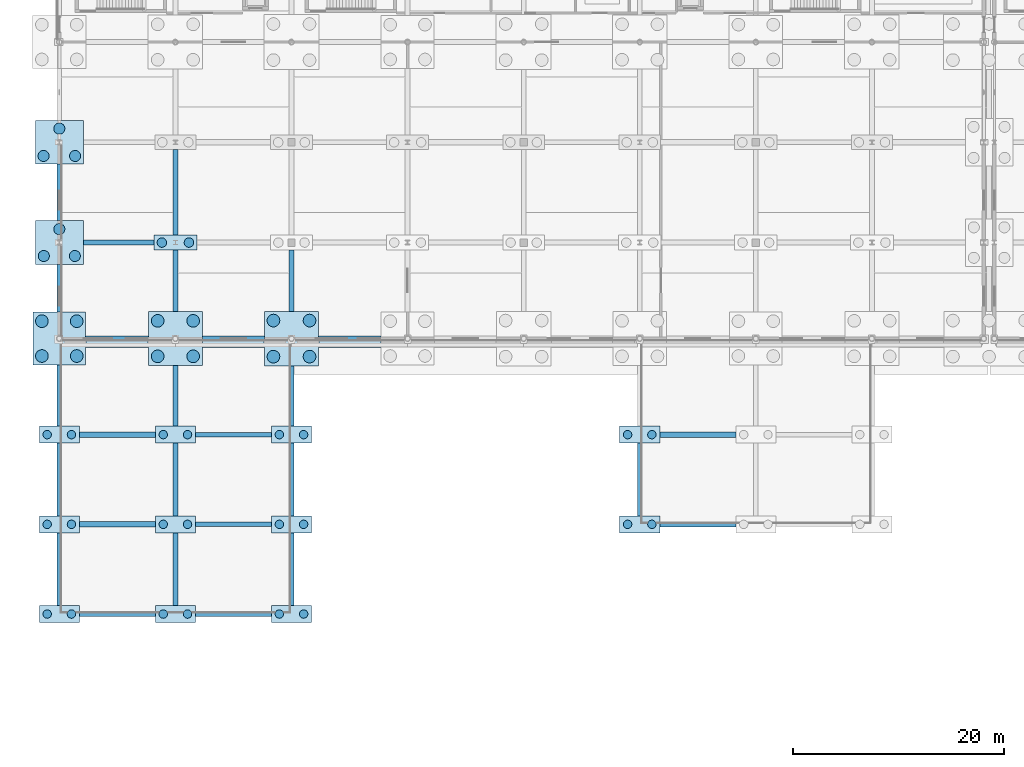
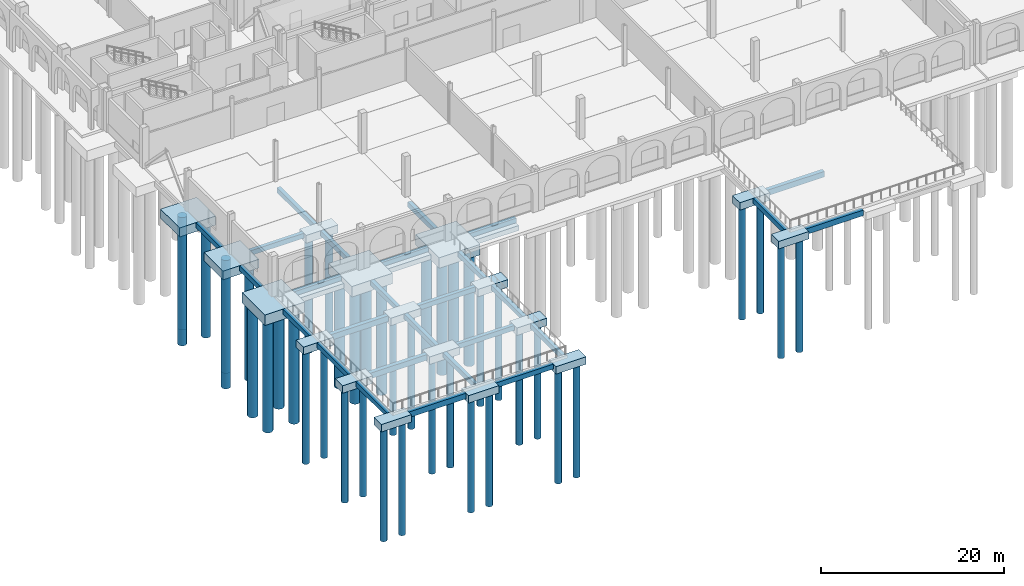
# One storey, part 1 of 83: 47 footings, 42 piles.
"""IFC4 building model written with IfcOpenShell, lengths in metres."""

import ifcopenshell
import ifcopenshell.guid

model = None  # the IFC model being written
_history = None  # IfcOwnerHistory: only IFC2X3 demands one
_inside = {}  # id of a spatial element -> (the spatial element, [elements in it])
_under = {}  # id of a project, library or spatial element -> (it, [spatial elements below it])
_declared = {}  # id of a project -> (the project, [libraries it declares])
_typed = {}  # id of a type object -> (the type object, [elements of that type])
_made_of = {}  # id of a material, layer set ... -> (it, [elements and type objects made of it])


def new_model(schema):
    """Start an empty IFC model of exactly this schema.

    Asked for "IFC4X3", IfcOpenShell would pick the latest addendum, in which some entities
    have other attributes; the version numbers below select the first issue.
    IFC2X3 requires an IfcOwnerHistory on every rooted entity: one is made here for all.
    """
    global model, _history
    if schema == "IFC4X3":
        model = ifcopenshell.file(schema_version=(4, 3, 0, 0))
    else:
        model = ifcopenshell.file(schema=schema)
    _inside.clear()
    _under.clear()
    _declared.clear()
    _typed.clear()
    _made_of.clear()
    _history = None
    if model.schema == "IFC2X3":
        org = make("IfcOrganization", Name="unknown")
        user = make(
            "IfcPersonAndOrganization",
            ThePerson=make("IfcPerson", FamilyName="unknown"),
            TheOrganization=org,
        )
        app = make(
            "IfcApplication",
            ApplicationDeveloper=org,
            Version="unknown",
            ApplicationFullName="unknown",
            ApplicationIdentifier="unknown",
        )
        _history = make(
            "IfcOwnerHistory",
            OwningUser=user,
            OwningApplication=app,
            ChangeAction="ADDED",
            CreationDate=0,
        )
    return model


def make(cls, **values):
    """One entity of the class cls with the attributes given. An attribute that is None is left unset."""
    return model.create_entity(
        cls, **{name: value for name, value in values.items() if value is not None}
    )


def rooted(cls, **values):
    """An entity with a GlobalId (a new one), such as an element, a storey or a relation."""
    return make(cls, GlobalId=ifcopenshell.guid.new(), OwnerHistory=_history, **values)


def si_unit(unit_type, name, prefix=None):
    """IfcSIUnit, for example si_unit("LENGTHUNIT", "METRE", prefix="MILLI")."""
    return make("IfcSIUnit", UnitType=unit_type, Prefix=prefix, Name=name)


def assignment(units):
    """IfcUnitAssignment: the units of a project."""
    return None if units is None else make("IfcUnitAssignment", Units=units)


def point(xyz):
    """IfcCartesianPoint."""
    return None if xyz is None else make("IfcCartesianPoint", Coordinates=xyz)


def direction(xyz):
    """IfcDirection."""
    return None if xyz is None else make("IfcDirection", DirectionRatios=xyz)


def frame(location, z_axis=None, x_axis=None):
    """IfcAxis2Placement3D, a coordinate frame: its origin and axes. An axis left out is left unset."""
    return make(
        "IfcAxis2Placement3D",
        Location=point(location),
        Axis=direction(z_axis),
        RefDirection=direction(x_axis),
    )


def frame_2d(location, x_axis=None):
    """IfcAxis2Placement2D, a coordinate frame in the plane: its origin and x axis."""
    return make(
        "IfcAxis2Placement2D", Location=point(location), RefDirection=direction(x_axis)
    )


def origin():
    """The frame at (0, 0, 0) with its axes left unset."""
    return frame((0.0, 0.0, 0.0))


def origin_2d():
    """The frame at (0, 0) in the plane with its x axis left unset."""
    return frame_2d((0.0, 0.0))


def place(relative_to, where):
    """IfcLocalPlacement: puts the frame where relative to a parent placement (None: the world)."""
    return make(
        "IfcLocalPlacement", PlacementRelTo=relative_to, RelativePlacement=where
    )


def context(
    kind, dimensions, precision=None, world=None, true_north=None, identifier=None
):
    """IfcGeometricRepresentationContext, for example the 3D "Model" context."""
    return make(
        "IfcGeometricRepresentationContext",
        ContextIdentifier=identifier,
        ContextType=kind,
        CoordinateSpaceDimension=dimensions,
        Precision=precision,
        WorldCoordinateSystem=world,
        TrueNorth=true_north,
    )


def subcontext(parent, identifier, kind, view, scale=None):
    """IfcGeometricRepresentationSubContext, for example "Body" below "Model"."""
    return make(
        "IfcGeometricRepresentationSubContext",
        ContextIdentifier=identifier,
        ContextType=kind,
        ParentContext=parent,
        TargetScale=scale,
        TargetView=view,
    )


def project(units=None, contexts=None):
    """IfcProject with its units and contexts."""
    return rooted(
        "IfcProject",
        Name="project",
        RepresentationContexts=contexts,
        UnitsInContext=assignment(units),
    )


def spatial(cls, under=None, at=None, **own):
    """A site, building, storey or space (cls), placed at a placement, below another one or the project."""
    s = rooted(cls, ObjectPlacement=at, **own)
    if under is not None:
        _under.setdefault(under.id(), (under, []))[1].append(s)
    return s


def polyline(points):
    """IfcPolyline through the points."""
    return make("IfcPolyline", Points=[point(p) for p in points])


def profile(cls, at=None, kind="AREA", **sizes):
    """A parametric profile (cls). Its sizes go by their IFC names, for example OverallWidth=200.0."""
    return make(cls, ProfileType=kind, Position=at, **sizes)


def circle(**sizes):
    """IfcCircleProfileDef."""
    return profile("IfcCircleProfileDef", **sizes)


def outline(outer, holes=None, kind="AREA"):
    """IfcArbitraryClosedProfileDef: a profile drawn as a closed curve; with holes, ...WithVoids."""
    if holes is None:
        return make("IfcArbitraryClosedProfileDef", ProfileType=kind, OuterCurve=outer)
    return make(
        "IfcArbitraryProfileDefWithVoids",
        ProfileType=kind,
        OuterCurve=outer,
        InnerCurves=holes,
    )


def extrude(swept, where, along, depth):
    """IfcExtrudedAreaSolid: the profile swept, set in the frame where, extruded along a direction by depth."""
    return make(
        "IfcExtrudedAreaSolid",
        SweptArea=swept,
        Position=where,
        ExtrudedDirection=direction(along),
        Depth=depth,
    )


def shape(context_of_items, identifier, shape_type, items):
    """IfcShapeRepresentation: the items that make up one representation, for example the "Body"."""
    return make(
        "IfcShapeRepresentation",
        ContextOfItems=context_of_items,
        RepresentationIdentifier=identifier,
        RepresentationType=shape_type,
        Items=items,
    )


def material(Name=None, Category=None):
    """IfcMaterial."""
    return make("IfcMaterial", Name=Name, Category=Category)


def material_profile(
    of_material, cross_section, Name=None, Category=None, Priority=None
):
    """IfcMaterialProfile: a cross section and its material."""
    return make(
        "IfcMaterialProfile",
        Name=Name,
        Material=of_material,
        Profile=cross_section,
        Priority=Priority,
        Category=Category,
    )


def profile_set(profiles, Name=None, composite=None):
    """IfcMaterialProfileSet."""
    return make(
        "IfcMaterialProfileSet",
        Name=Name,
        MaterialProfiles=profiles,
        CompositeProfile=composite,
    )


def made_of(thing, what):
    """Note that an element or type object is made of a material, layer set ...; save() writes the relation."""
    if what is not None:
        _made_of.setdefault(what.id(), (what, []))[1].append(thing)
    return thing


def type_object(cls, material=None, **own):
    """A type object (cls), such as IfcWallType, which elements share."""
    return made_of(rooted(cls, **own), material)


def element(
    cls,
    number,
    at=None,
    inside=None,
    cuts=None,
    type_object=None,
    material=None,
    context=None,
    identifier="Body",
    shape_type=None,
    held_by="IfcProductDefinitionShape",
    body=None,
    shapes=None,
    **own,
):
    """One element of the class cls, such as IfcWall. Its Tag is "e" and its number.

    at: its placement. inside: the storey or other place that contains it. cuts: it is an
    opening in that element (IfcRelVoidsElement). A single representation is given by context,
    identifier, shape_type and body (its items); several are given by shapes. held_by: the class
    of the entity that holds the representations. save() writes the other relations.
    """
    e = rooted(cls, Tag="e%d" % number, ObjectPlacement=at, **own)
    if body is not None:
        shapes = [shape(context, identifier, shape_type, body)]
    if shapes is not None:
        e.Representation = make(held_by, Representations=shapes)
    if inside is not None:
        _inside.setdefault(inside.id(), (inside, []))[1].append(e)
    if cuts is not None:
        rooted(
            "IfcRelVoidsElement", RelatingBuildingElement=cuts, RelatedOpeningElement=e
        )
    if type_object is not None:
        _typed.setdefault(type_object.id(), (type_object, []))[1].append(e)
    return made_of(e, material)


def aggregate(whole, parts):
    """IfcRelAggregates: a whole, such as a stair, and the parts it consists of."""
    return rooted("IfcRelAggregates", RelatingObject=whole, RelatedObjects=parts)


def save(model, path):
    """Write the relations noted so far, then the file.

    IfcRelAggregates (storeys below a building ...), IfcRelContainedInSpatialStructure (elements
    in a storey), IfcRelDefinesByType, IfcRelAssociatesMaterial and IfcRelDeclares: one each for
    every whole, place, type object, material and project.
    """
    for whole, parts in _under.values():
        aggregate(whole, parts)
    for where, things in _inside.values():
        rooted(
            "IfcRelContainedInSpatialStructure",
            RelatedElements=things,
            RelatingStructure=where,
        )
    for kind, things in _typed.values():
        rooted("IfcRelDefinesByType", RelatedObjects=things, RelatingType=kind)
    for what, things in _made_of.values():
        rooted("IfcRelAssociatesMaterial", RelatedObjects=things, RelatingMaterial=what)
    for by, libraries in _declared.values():
        rooted("IfcRelDeclares", RelatingContext=by, RelatedDefinitions=libraries)
    model.write(path)


model = new_model("IFC4")

# Units and contexts
model_context = context("Model", 3, precision=1e-05, world=origin(), true_north=direction((0.0, 1.0)))
body_context = subcontext(model_context, "Body", "Model", "MODEL_VIEW")
ifc_project = project(units=[si_unit("LENGTHUNIT", "METRE"), si_unit("AREAUNIT", "SQUARE_METRE"), si_unit("VOLUMEUNIT", "CUBIC_METRE"), si_unit("PLANEANGLEUNIT", "RADIAN"), si_unit("MASSUNIT", "GRAM", prefix="KILO")], contexts=[model_context])

# Site, building, storey
site_placement = place(None, origin())
site = spatial("IfcSite", under=ifc_project, at=site_placement, CompositionType="ELEMENT")
building_placement = place(site_placement, origin())
building = spatial("IfcBuilding", under=site, at=building_placement, Name="Caurita Quay Ferry Terminal", CompositionType="ELEMENT")
storey_placement = place(building_placement, origin())
storey = spatial("IfcBuildingStorey", under=building, at=storey_placement, Name="L00", CompositionType="ELEMENT", Elevation=0.0)

# Footings
ifc_material = material(Name="Marine reinforced concrete C40/50", Category="concrete")
footing_type_1 = type_object("IfcFootingType", Name="FTG-BM-01", PredefinedType="FOOTING_BEAM", material=ifc_material)
footing_1_placement = place(storey_placement, frame((0.0, 0.0, -1.14990234375)))
element("IfcFooting", 1, at=footing_1_placement, inside=storey, type_object=footing_type_1, Name="Seismic Tie Footing Beam FB-X-005", PredefinedType="FOOTING_BEAM", context=body_context, shape_type="SweptSolid", body=[
    extrude(outline(polyline([(1.89990234375, 8.25), (9.10009765625, 8.25), (9.10009765625, 8.75), (1.89990234375, 8.75), (1.89990234375, 8.25)])), origin(), (0.0, 0.0, 1.0), 0.75),
])
footing_2_placement = place(storey_placement, frame((0.0, 0.0, -1.14990234375)))
element("IfcFooting", 2, at=footing_2_placement, inside=storey, type_object=footing_type_1, Name="Seismic Tie Footing Beam FB-X-011", PredefinedType="FOOTING_BEAM", context=body_context, shape_type="SweptSolid", body=[
    extrude(outline(polyline([(1.89990234375, 16.75), (9.10009765625, 16.75), (9.10009765625, 17.25), (1.89990234375, 17.25), (1.89990234375, 16.75)])), origin(), (0.0, 0.0, 1.0), 0.75),
])
footing_3_placement = place(storey_placement, frame((0.0, 0.0, -1.14990234375)))
element("IfcFooting", 3, at=footing_3_placement, inside=storey, type_object=footing_type_1, Name="Seismic Tie Footing Beam FB-X-013", PredefinedType="FOOTING_BEAM", context=body_context, shape_type="SweptSolid", body=[
    extrude(outline(polyline([(56.89990234375, 16.75), (64.10009765625, 16.75), (64.10009765625, 17.25), (56.89990234375, 17.25), (56.89990234375, 16.75)])), origin(), (0.0, 0.0, 1.0), 0.75),
])
footing_4_placement = place(storey_placement, frame((0.0, 0.0, -1.14990234375)))
element("IfcFooting", 4, at=footing_4_placement, inside=storey, type_object=footing_type_1, Name="Seismic Tie Footing Beam FB-X-019", PredefinedType="FOOTING_BEAM", context=body_context, shape_type="SweptSolid", body=[
    extrude(outline(polyline([(1.89990234375, 25.25), (9.10009765625, 25.25), (9.10009765625, 25.75), (1.89990234375, 25.75), (1.89990234375, 25.25)])), origin(), (0.0, 0.0, 1.0), 0.75),
])
footing_5_placement = place(storey_placement, frame((0.0, 0.0, -1.14990234375)))
element("IfcFooting", 5, at=footing_5_placement, inside=storey, type_object=footing_type_1, Name="Seismic Tie Footing Beam FB-X-021", PredefinedType="FOOTING_BEAM", context=body_context, shape_type="SweptSolid", body=[
    extrude(outline(polyline([(56.89990234375, 25.25), (64.10009765625, 25.25), (64.10009765625, 25.75), (56.89990234375, 25.75), (56.89990234375, 25.25)])), origin(), (0.0, 0.0, 1.0), 0.75),
])
footing_6_placement = place(storey_placement, frame((0.0, 0.0, -1.14990234375)))
element("IfcFooting", 6, at=footing_6_placement, inside=storey, type_object=footing_type_1, Name="Seismic Tie Footing Beam FB-X-031", PredefinedType="FOOTING_BEAM", context=body_context, shape_type="SweptSolid", body=[
    extrude(outline(polyline([(2.5, 34.35009765625), (8.449951171875, 34.35009765625), (8.449951171875, 34.85009765625), (2.5, 34.85009765625), (2.5, 34.35009765625)])), origin(), (0.0, 0.0, 1.0), 0.75),
])
footing_7_placement = place(storey_placement, frame((0.0, 0.0, -1.14990234375)))
element("IfcFooting", 7, at=footing_7_placement, inside=storey, type_object=footing_type_1, Name="Seismic Tie Footing Beam FB-X-033", PredefinedType="FOOTING_BEAM", context=body_context, shape_type="SweptSolid", body=[
    extrude(outline(polyline([(24.574951171875, 34.35009765625), (30.5, 34.35009765625), (30.5, 34.85009765625), (24.574951171875, 34.85009765625), (24.574951171875, 34.35009765625)])), origin(), (0.0, 0.0, 1.0), 0.75),
])
footing_type_2 = type_object("IfcFootingType", Name="FTG-BM-02", PredefinedType="FOOTING_BEAM", material=ifc_material)
footing_8_placement = place(storey_placement, frame((0.0, 0.0, -1.050048828125)))
element("IfcFooting", 8, at=footing_8_placement, inside=storey, type_object=footing_type_2, Name="Seismic Tie Footing Beam FB-X-006", PredefinedType="FOOTING_BEAM", context=body_context, shape_type="SweptSolid", body=[
    extrude(outline(polyline([(12.89990234375, 8.27490234375), (20.10009765625, 8.27490234375), (20.10009765625, 8.72509765625), (12.89990234375, 8.72509765625), (12.89990234375, 8.27490234375)])), origin(), (0.0, 0.0, 1.0), 0.650146484375),
])
footing_9_placement = place(storey_placement, frame((0.0, 0.0, -1.050048828125)))
element("IfcFooting", 9, at=footing_9_placement, inside=storey, type_object=footing_type_2, Name="Seismic Tie Footing Beam FB-X-012", PredefinedType="FOOTING_BEAM", context=body_context, shape_type="SweptSolid", body=[
    extrude(outline(polyline([(12.89990234375, 16.77490234375), (20.10009765625, 16.77490234375), (20.10009765625, 17.22509765625), (12.89990234375, 17.22509765625), (12.89990234375, 16.77490234375)])), origin(), (0.0, 0.0, 1.0), 0.650146484375),
])
footing_10_placement = place(storey_placement, frame((0.0, 0.0, -1.050048828125)))
element("IfcFooting", 10, at=footing_10_placement, inside=storey, type_object=footing_type_2, Name="Seismic Tie Footing Beam FB-X-020", PredefinedType="FOOTING_BEAM", context=body_context, shape_type="SweptSolid", body=[
    extrude(outline(polyline([(12.89990234375, 25.27490234375), (20.10009765625, 25.27490234375), (20.10009765625, 25.72509765625), (12.89990234375, 25.72509765625), (12.89990234375, 25.27490234375)])), origin(), (0.0, 0.0, 1.0), 0.650146484375),
])
footing_11_placement = place(storey_placement, frame((0.0, 0.0, -1.050048828125)))
element("IfcFooting", 11, at=footing_11_placement, inside=storey, type_object=footing_type_2, Name="Seismic Tie Footing Beam FB-X-032", PredefinedType="FOOTING_BEAM", context=body_context, shape_type="SweptSolid", body=[
    extrude(outline(polyline([(13.550048828125, 34.375), (19.425048828125, 34.375), (19.425048828125, 34.824951171875), (13.550048828125, 34.824951171875), (13.550048828125, 34.375)])), origin(), (0.0, 0.0, 1.0), 0.650146484375),
])
footing_12_placement = place(storey_placement, frame((0.0, 0.0, -1.050048828125)))
element("IfcFooting", 12, at=footing_12_placement, inside=storey, type_object=footing_type_2, Name="Seismic Tie Footing Beam FB-X-042", PredefinedType="FOOTING_BEAM", context=body_context, shape_type="SweptSolid", body=[
    extrude(outline(polyline([(2.27490234375, 43.47509765625), (8.97509765625, 43.47509765625), (8.97509765625, 43.925048828125), (2.27490234375, 43.925048828125), (2.27490234375, 43.47509765625)])), origin(), (0.0, 0.0, 1.0), 0.650146484375),
])
footing_13_placement = place(storey_placement, frame((0.0, 0.0, -1.050048828125)))
element("IfcFooting", 13, at=footing_13_placement, inside=storey, type_object=footing_type_2, Name="Seismic Tie Footing Beam FB-Y-184", PredefinedType="FOOTING_BEAM", context=body_context, shape_type="SweptSolid", body=[
    extrude(outline(polyline([(-0.22509765625, 9.300048828125), (0.22509765625, 9.300048828125), (0.22509765625, 16.199951171875), (-0.22509765625, 16.199951171875), (-0.22509765625, 9.300048828125)])), origin(), (0.0, 0.0, 1.0), 0.650146484375),
])
footing_14_placement = place(storey_placement, frame((0.0, 0.0, -1.050048828125)))
element("IfcFooting", 14, at=footing_14_placement, inside=storey, type_object=footing_type_2, Name="Seismic Tie Footing Beam FB-Y-185", PredefinedType="FOOTING_BEAM", context=body_context, shape_type="SweptSolid", body=[
    extrude(outline(polyline([(-0.22509765625, 17.800048828125), (0.22509765625, 17.800048828125), (0.22509765625, 24.699951171875), (-0.22509765625, 24.699951171875), (-0.22509765625, 17.800048828125)])), origin(), (0.0, 0.0, 1.0), 0.650146484375),
])
footing_15_placement = place(storey_placement, frame((0.0, 0.0, -1.050048828125)))
element("IfcFooting", 15, at=footing_15_placement, inside=storey, type_object=footing_type_2, Name="Seismic Tie Footing Beam FB-Y-186", PredefinedType="FOOTING_BEAM", context=body_context, shape_type="SweptSolid", body=[
    extrude(outline(polyline([(-0.22509765625, 26.300048828125), (0.22509765625, 26.300048828125), (0.22509765625, 32.10009765625), (-0.22509765625, 32.10009765625), (-0.22509765625, 26.300048828125)])), origin(), (0.0, 0.0, 1.0), 0.650146484375),
])
footing_16_placement = place(storey_placement, frame((0.0, 0.0, -1.050048828125)))
element("IfcFooting", 16, at=footing_16_placement, inside=storey, type_object=footing_type_2, Name="Seismic Tie Footing Beam FB-Y-187", PredefinedType="FOOTING_BEAM", context=body_context, shape_type="SweptSolid", body=[
    extrude(outline(polyline([(-0.22509765625, 37.10009765625), (0.22509765625, 37.10009765625), (0.22509765625, 41.625), (-0.22509765625, 41.625), (-0.22509765625, 37.10009765625)])), origin(), (0.0, 0.0, 1.0), 0.650146484375),
])
footing_17_placement = place(storey_placement, frame((0.0, 0.0, -1.050048828125)))
element("IfcFooting", 17, at=footing_17_placement, inside=storey, type_object=footing_type_2, Name="Seismic Tie Footing Beam FB-Y-188", PredefinedType="FOOTING_BEAM", context=body_context, shape_type="SweptSolid", body=[
    extrude(outline(polyline([(-0.22509765625, 45.77490234375), (0.22509765625, 45.77490234375), (0.22509765625, 51.125), (-0.22509765625, 51.125), (-0.22509765625, 45.77490234375)])), origin(), (0.0, 0.0, 1.0), 0.650146484375),
])
footing_18_placement = place(storey_placement, frame((0.0, 0.0, -1.050048828125)))
element("IfcFooting", 18, at=footing_18_placement, inside=storey, type_object=footing_type_2, Name="Seismic Tie Footing Beam FB-Y-196", PredefinedType="FOOTING_BEAM", context=body_context, shape_type="SweptSolid", body=[
    extrude(outline(polyline([(10.77490234375, 9.300048828125), (11.22509765625, 9.300048828125), (11.22509765625, 16.199951171875), (10.77490234375, 16.199951171875), (10.77490234375, 9.300048828125)])), origin(), (0.0, 0.0, 1.0), 0.650146484375),
])
footing_19_placement = place(storey_placement, frame((0.0, 0.0, -1.050048828125)))
element("IfcFooting", 19, at=footing_19_placement, inside=storey, type_object=footing_type_2, Name="Seismic Tie Footing Beam FB-Y-197", PredefinedType="FOOTING_BEAM", context=body_context, shape_type="SweptSolid", body=[
    extrude(outline(polyline([(10.77490234375, 17.800048828125), (11.22509765625, 17.800048828125), (11.22509765625, 24.699951171875), (10.77490234375, 24.699951171875), (10.77490234375, 17.800048828125)])), origin(), (0.0, 0.0, 1.0), 0.650146484375),
])
footing_20_placement = place(storey_placement, frame((0.0, 0.0, -1.050048828125)))
element("IfcFooting", 20, at=footing_20_placement, inside=storey, type_object=footing_type_2, Name="Seismic Tie Footing Beam FB-Y-198", PredefinedType="FOOTING_BEAM", context=body_context, shape_type="SweptSolid", body=[
    extrude(outline(polyline([(10.77490234375, 26.300048828125), (11.22509765625, 26.300048828125), (11.22509765625, 32.050048828125), (10.77490234375, 32.050048828125), (10.77490234375, 26.300048828125)])), origin(), (0.0, 0.0, 1.0), 0.650146484375),
])
footing_21_placement = place(storey_placement, frame((0.0, 0.0, -1.050048828125)))
element("IfcFooting", 21, at=footing_21_placement, inside=storey, type_object=footing_type_2, Name="Seismic Tie Footing Beam FB-Y-199", PredefinedType="FOOTING_BEAM", context=body_context, shape_type="SweptSolid", body=[
    extrude(outline(polyline([(10.77490234375, 37.14990234375), (11.22509765625, 37.14990234375), (11.22509765625, 42.97509765625), (10.77490234375, 42.97509765625), (10.77490234375, 37.14990234375)])), origin(), (0.0, 0.0, 1.0), 0.650146484375),
])
footing_22_placement = place(storey_placement, frame((0.0, 0.0, -1.050048828125)))
element("IfcFooting", 22, at=footing_22_placement, inside=storey, type_object=footing_type_2, Name="Seismic Tie Footing Beam FB-Y-200", PredefinedType="FOOTING_BEAM", context=body_context, shape_type="SweptSolid", body=[
    extrude(outline(polyline([(10.77490234375, 44.425048828125), (11.22509765625, 44.425048828125), (11.22509765625, 52.5), (10.77490234375, 52.5), (10.77490234375, 44.425048828125)])), origin(), (0.0, 0.0, 1.0), 0.650146484375),
])
footing_23_placement = place(storey_placement, frame((0.0, 0.0, -1.050048828125)))
element("IfcFooting", 23, at=footing_23_placement, inside=storey, type_object=footing_type_2, Name="Seismic Tie Footing Beam FB-Y-208", PredefinedType="FOOTING_BEAM", context=body_context, shape_type="SweptSolid", body=[
    extrude(outline(polyline([(21.77490234375, 9.300048828125), (22.22509765625, 9.300048828125), (22.22509765625, 16.199951171875), (21.77490234375, 16.199951171875), (21.77490234375, 9.300048828125)])), origin(), (0.0, 0.0, 1.0), 0.650146484375),
])
footing_24_placement = place(storey_placement, frame((0.0, 0.0, -1.050048828125)))
element("IfcFooting", 24, at=footing_24_placement, inside=storey, type_object=footing_type_2, Name="Seismic Tie Footing Beam FB-Y-209", PredefinedType="FOOTING_BEAM", context=body_context, shape_type="SweptSolid", body=[
    extrude(outline(polyline([(21.77490234375, 17.800048828125), (22.22509765625, 17.800048828125), (22.22509765625, 24.699951171875), (21.77490234375, 24.699951171875), (21.77490234375, 17.800048828125)])), origin(), (0.0, 0.0, 1.0), 0.650146484375),
])
footing_25_placement = place(storey_placement, frame((0.0, 0.0, -1.050048828125)))
element("IfcFooting", 25, at=footing_25_placement, inside=storey, type_object=footing_type_2, Name="Seismic Tie Footing Beam FB-Y-210", PredefinedType="FOOTING_BEAM", context=body_context, shape_type="SweptSolid", body=[
    extrude(outline(polyline([(21.77490234375, 26.300048828125), (22.22509765625, 26.300048828125), (22.22509765625, 32.02490234375), (21.77490234375, 32.02490234375), (21.77490234375, 26.300048828125)])), origin(), (0.0, 0.0, 1.0), 0.650146484375),
])
footing_26_placement = place(storey_placement, frame((0.0, 0.0, -1.050048828125)))
element("IfcFooting", 26, at=footing_26_placement, inside=storey, type_object=footing_type_2, Name="Seismic Tie Footing Beam FB-Y-211", PredefinedType="FOOTING_BEAM", context=body_context, shape_type="SweptSolid", body=[
    extrude(outline(polyline([(21.77490234375, 37.175048828125), (22.22509765625, 37.175048828125), (22.22509765625, 42.97509765625), (21.77490234375, 42.97509765625), (21.77490234375, 37.175048828125)])), origin(), (0.0, 0.0, 1.0), 0.650146484375),
])
footing_27_placement = place(storey_placement, frame((0.0, 0.0, -1.050048828125)))
element("IfcFooting", 27, at=footing_27_placement, inside=storey, type_object=footing_type_2, Name="Seismic Tie Footing Beam FB-Y-232", PredefinedType="FOOTING_BEAM", context=body_context, shape_type="SweptSolid", body=[
    extrude(outline(polyline([(54.77490234375, 17.800048828125), (55.22509765625, 17.800048828125), (55.22509765625, 24.699951171875), (54.77490234375, 24.699951171875), (54.77490234375, 17.800048828125)])), origin(), (0.0, 0.0, 1.0), 0.650146484375),
])
footing_type_3 = type_object("IfcFootingType", Name="FTG-PC-01", PredefinedType="PILE_CAP", material=ifc_material)
footing_28_placement = place(storey_placement, frame((0.0, 0.0, -1.800048828125)))
element("IfcFooting", 28, at=footing_28_placement, inside=storey, type_object=footing_type_3, Name="Pile Cap PC-001", PredefinedType="PILE_CAP", context=body_context, shape_type="SweptSolid", body=[
    extrude(outline(polyline([(-2.5, 32.10009765625), (2.5, 32.10009765625), (2.5, 37.10009765625), (-2.5, 37.10009765625), (-2.5, 32.10009765625)])), origin(), (0.0, 0.0, 1.0), 1.400146484375),
])
footing_type_4 = type_object("IfcFootingType", Name="FTG-PC-02", PredefinedType="PILE_CAP", material=ifc_material)
footing_29_placement = place(storey_placement, frame((0.0, 0.0, -1.550048828125)))
element("IfcFooting", 29, at=footing_29_placement, inside=storey, type_object=footing_type_4, Name="Pile Cap PC-002", PredefinedType="PILE_CAP", context=body_context, shape_type="SweptSolid", body=[
    extrude(outline(polyline([(-2.27490234375, 41.625), (2.27490234375, 41.625), (2.27490234375, 45.77490234375), (-2.27490234375, 45.77490234375), (-2.27490234375, 41.625)])), origin(), (0.0, 0.0, 1.0), 1.150146484375),
])
footing_type_5 = type_object("IfcFootingType", Name="FTG-PC-03", PredefinedType="PILE_CAP", material=ifc_material)
footing_30_placement = place(storey_placement, frame((0.0, 0.0, -1.60009765625)))
element("IfcFooting", 30, at=footing_30_placement, inside=storey, type_object=footing_type_5, Name="Pile Cap PC-003", PredefinedType="PILE_CAP", context=body_context, shape_type="SweptSolid", body=[
    extrude(outline(polyline([(-2.27490234375, 51.125), (2.27490234375, 51.125), (2.27490234375, 55.27490234375), (-2.27490234375, 55.27490234375), (-2.27490234375, 51.125)])), origin(), (0.0, 0.0, 1.0), 1.2001953125),
])
footing_type_6 = type_object("IfcFootingType", Name="FTG-PC-11", PredefinedType="PILE_CAP", material=ifc_material)
footing_31_placement = place(storey_placement, frame((0.0, 0.0, -1.800048828125)))
element("IfcFooting", 31, at=footing_31_placement, inside=storey, type_object=footing_type_6, Name="Pile Cap PC-011", PredefinedType="PILE_CAP", context=body_context, shape_type="SweptSolid", body=[
    extrude(outline(polyline([(8.449951171875, 32.050048828125), (13.550048828125, 32.050048828125), (13.550048828125, 37.14990234375), (8.449951171875, 37.14990234375), (8.449951171875, 32.050048828125)])), origin(), (0.0, 0.0, 1.0), 1.400146484375),
])
footing_type_7 = type_object("IfcFootingType", Name="FTG-PC-12", PredefinedType="PILE_CAP", material=ifc_material)
footing_32_placement = place(storey_placement, frame((0.0, 0.0, -1.449951171875)))
element("IfcFooting", 32, at=footing_32_placement, inside=storey, type_object=footing_type_7, Name="Pile Cap PC-012", PredefinedType="PILE_CAP", context=body_context, shape_type="SweptSolid", body=[
    extrude(outline(polyline([(8.97509765625, 42.97509765625), (13.02490234375, 42.97509765625), (13.02490234375, 44.425048828125), (8.97509765625, 44.425048828125), (8.97509765625, 42.97509765625)])), origin(), (0.0, 0.0, 1.0), 1.050048828125),
])
footing_type_8 = type_object("IfcFootingType", Name="FTG-PC-17", PredefinedType="PILE_CAP", material=ifc_material)
footing_33_placement = place(storey_placement, frame((0.0, 0.0, -1.800048828125)))
element("IfcFooting", 33, at=footing_33_placement, inside=storey, type_object=footing_type_8, Name="Pile Cap PC-021", PredefinedType="PILE_CAP", context=body_context, shape_type="SweptSolid", body=[
    extrude(outline(polyline([(19.425048828125, 32.02490234375), (24.574951171875, 32.02490234375), (24.574951171875, 37.175048828125), (19.425048828125, 37.175048828125), (19.425048828125, 32.02490234375)])), origin(), (0.0, 0.0, 1.0), 1.400146484375),
])
footing_type_9 = type_object("IfcFootingType", Name="FTG-PC-PIER", PredefinedType="PILE_CAP", material=ifc_material)
footing_34_placement = place(storey_placement, frame((0.0, 0.0, -1.39990234375)))
element("IfcFooting", 34, at=footing_34_placement, inside=storey, type_object=footing_type_9, Name="Marine Pier Pile Cap PC-PR-01", PredefinedType="PILE_CAP", context=body_context, shape_type="SweptSolid", body=[
    extrude(outline(polyline([(-1.89990234375, 7.699951171875), (1.89990234375, 7.699951171875), (1.89990234375, 9.300048828125), (-1.89990234375, 9.300048828125), (-1.89990234375, 7.699951171875)])), origin(), (0.0, 0.0, 1.0), 1.0),
])
footing_35_placement = place(storey_placement, frame((0.0, 0.0, -1.39990234375)))
element("IfcFooting", 35, at=footing_35_placement, inside=storey, type_object=footing_type_9, Name="Marine Pier Pile Cap PC-PR-02", PredefinedType="PILE_CAP", context=body_context, shape_type="SweptSolid", body=[
    extrude(outline(polyline([(-1.89990234375, 16.199951171875), (1.89990234375, 16.199951171875), (1.89990234375, 17.800048828125), (-1.89990234375, 17.800048828125), (-1.89990234375, 16.199951171875)])), origin(), (0.0, 0.0, 1.0), 1.0),
])
footing_36_placement = place(storey_placement, frame((0.0, 0.0, -1.39990234375)))
element("IfcFooting", 36, at=footing_36_placement, inside=storey, type_object=footing_type_9, Name="Marine Pier Pile Cap PC-PR-03", PredefinedType="PILE_CAP", context=body_context, shape_type="SweptSolid", body=[
    extrude(outline(polyline([(-1.89990234375, 24.699951171875), (1.89990234375, 24.699951171875), (1.89990234375, 26.300048828125), (-1.89990234375, 26.300048828125), (-1.89990234375, 24.699951171875)])), origin(), (0.0, 0.0, 1.0), 1.0),
])
footing_37_placement = place(storey_placement, frame((0.0, 0.0, -1.39990234375)))
element("IfcFooting", 37, at=footing_37_placement, inside=storey, type_object=footing_type_9, Name="Marine Pier Pile Cap PC-PR-04", PredefinedType="PILE_CAP", context=body_context, shape_type="SweptSolid", body=[
    extrude(outline(polyline([(9.10009765625, 7.699951171875), (12.89990234375, 7.699951171875), (12.89990234375, 9.300048828125), (9.10009765625, 9.300048828125), (9.10009765625, 7.699951171875)])), origin(), (0.0, 0.0, 1.0), 1.0),
])
footing_38_placement = place(storey_placement, frame((0.0, 0.0, -1.39990234375)))
element("IfcFooting", 38, at=footing_38_placement, inside=storey, type_object=footing_type_9, Name="Marine Pier Pile Cap PC-PR-05", PredefinedType="PILE_CAP", context=body_context, shape_type="SweptSolid", body=[
    extrude(outline(polyline([(9.10009765625, 16.199951171875), (12.89990234375, 16.199951171875), (12.89990234375, 17.800048828125), (9.10009765625, 17.800048828125), (9.10009765625, 16.199951171875)])), origin(), (0.0, 0.0, 1.0), 1.0),
])
footing_39_placement = place(storey_placement, frame((0.0, 0.0, -1.39990234375)))
element("IfcFooting", 39, at=footing_39_placement, inside=storey, type_object=footing_type_9, Name="Marine Pier Pile Cap PC-PR-06", PredefinedType="PILE_CAP", context=body_context, shape_type="SweptSolid", body=[
    extrude(outline(polyline([(9.10009765625, 24.699951171875), (12.89990234375, 24.699951171875), (12.89990234375, 26.300048828125), (9.10009765625, 26.300048828125), (9.10009765625, 24.699951171875)])), origin(), (0.0, 0.0, 1.0), 1.0),
])
footing_40_placement = place(storey_placement, frame((0.0, 0.0, -1.39990234375)))
element("IfcFooting", 40, at=footing_40_placement, inside=storey, type_object=footing_type_9, Name="Marine Pier Pile Cap PC-PR-07", PredefinedType="PILE_CAP", context=body_context, shape_type="SweptSolid", body=[
    extrude(outline(polyline([(20.10009765625, 7.699951171875), (23.89990234375, 7.699951171875), (23.89990234375, 9.300048828125), (20.10009765625, 9.300048828125), (20.10009765625, 7.699951171875)])), origin(), (0.0, 0.0, 1.0), 1.0),
])
footing_41_placement = place(storey_placement, frame((0.0, 0.0, -1.39990234375)))
element("IfcFooting", 41, at=footing_41_placement, inside=storey, type_object=footing_type_9, Name="Marine Pier Pile Cap PC-PR-08", PredefinedType="PILE_CAP", context=body_context, shape_type="SweptSolid", body=[
    extrude(outline(polyline([(20.10009765625, 16.199951171875), (23.89990234375, 16.199951171875), (23.89990234375, 17.800048828125), (20.10009765625, 17.800048828125), (20.10009765625, 16.199951171875)])), origin(), (0.0, 0.0, 1.0), 1.0),
])
footing_42_placement = place(storey_placement, frame((0.0, 0.0, -1.39990234375)))
element("IfcFooting", 42, at=footing_42_placement, inside=storey, type_object=footing_type_9, Name="Marine Pier Pile Cap PC-PR-09", PredefinedType="PILE_CAP", context=body_context, shape_type="SweptSolid", body=[
    extrude(outline(polyline([(20.10009765625, 24.699951171875), (23.89990234375, 24.699951171875), (23.89990234375, 26.300048828125), (20.10009765625, 26.300048828125), (20.10009765625, 24.699951171875)])), origin(), (0.0, 0.0, 1.0), 1.0),
])
footing_43_placement = place(storey_placement, frame((0.0, 0.0, -1.39990234375)))
element("IfcFooting", 43, at=footing_43_placement, inside=storey, type_object=footing_type_9, Name="Marine Pier Pile Cap PC-PR-10", PredefinedType="PILE_CAP", context=body_context, shape_type="SweptSolid", body=[
    extrude(outline(polyline([(53.10009765625, 16.199951171875), (56.89990234375, 16.199951171875), (56.89990234375, 17.800048828125), (53.10009765625, 17.800048828125), (53.10009765625, 16.199951171875)])), origin(), (0.0, 0.0, 1.0), 1.0),
])
footing_44_placement = place(storey_placement, frame((0.0, 0.0, -1.39990234375)))
element("IfcFooting", 44, at=footing_44_placement, inside=storey, type_object=footing_type_9, Name="Marine Pier Pile Cap PC-PR-11", PredefinedType="PILE_CAP", context=body_context, shape_type="SweptSolid", body=[
    extrude(outline(polyline([(53.10009765625, 24.699951171875), (56.89990234375, 24.699951171875), (56.89990234375, 26.300048828125), (53.10009765625, 26.300048828125), (53.10009765625, 24.699951171875)])), origin(), (0.0, 0.0, 1.0), 1.0),
])
footing_type_10 = type_object("IfcFootingType", Name="FTG-STR-01", PredefinedType="STRIP_FOOTING", material=ifc_material)
footing_45_placement = place(storey_placement, frame((0.0, 0.0, -1.64990234375)))
element("IfcFooting", 45, at=footing_45_placement, inside=storey, type_object=footing_type_10, Name="Marine Seawall Strip Footing SF-01", PredefinedType="STRIP_FOOTING", context=body_context, shape_type="SweptSolid", body=[
    extrude(outline(polyline([(2.5400390625, 33.75), (8.409912109375, 33.75), (8.409912109375, 34.64990234375), (2.5400390625, 34.64990234375), (2.5400390625, 33.75)])), origin(), (0.0, 0.0, 1.0), 0.64990234375),
])
footing_46_placement = place(storey_placement, frame((0.0, 0.0, -1.64990234375)))
element("IfcFooting", 46, at=footing_46_placement, inside=storey, type_object=footing_type_10, Name="Marine Seawall Strip Footing SF-02", PredefinedType="STRIP_FOOTING", context=body_context, shape_type="SweptSolid", body=[
    extrude(outline(polyline([(13.590087890625, 33.75), (19.385009765625, 33.75), (19.385009765625, 34.64990234375), (13.590087890625, 34.64990234375), (13.590087890625, 33.75)])), origin(), (0.0, 0.0, 1.0), 0.64990234375),
])
footing_47_placement = place(storey_placement, frame((0.0, 0.0, -1.64990234375)))
element("IfcFooting", 47, at=footing_47_placement, inside=storey, type_object=footing_type_10, Name="Marine Seawall Strip Footing SF-03", PredefinedType="STRIP_FOOTING", context=body_context, shape_type="SweptSolid", body=[
    extrude(outline(polyline([(24.614990234375, 33.75), (30.4599609375, 33.75), (30.4599609375, 34.64990234375), (24.614990234375, 34.64990234375), (24.614990234375, 33.75)])), origin(), (0.0, 0.0, 1.0), 0.64990234375),
])

# Piles
ifc_material_profile_1 = material_profile(ifc_material, circle(Radius=0.52490234375, at=origin_2d()), Name="PILE-D1050")
ifc_profile_set_1 = profile_set([ifc_material_profile_1], Name="Marine reinforced concrete C40/50")
pile_type_1 = type_object("IfcPileType", Name="TYPE-PL-1050", PredefinedType="BORED", material=ifc_profile_set_1)
for number, where, z_axis, x_axis, name in (
    (48, (-1.469970703125, 42.427001953125, -1.449951171875), (0.0, 0.0, -1.0), (1.0, 0.0, 0.0), "Bored Marine Pile PC-002-P1"),
    (49, (1.469970703125, 42.427001953125, -1.449951171875), (0.0, 0.0, -1.0), (1.0, 0.0, 0.0), "Bored Marine Pile PC-002-P2"),
    (50, (0.0, 44.972900390625, -1.449951171875), (0.0, 0.0, -1.0), (1.0, 0.0, 0.0), "Bored Marine Pile PC-002-P3"),
):
    element("IfcPile", number, at=place(storey_placement, frame(where, z_axis=z_axis, x_axis=x_axis)), inside=storey, type_object=pile_type_1, Name=name, PredefinedType="BORED", context=body_context, shape_type="SweptSolid", body=[
        extrude(circle(Radius=0.52490234375, at=origin_2d()), origin(), (0.0, 0.0, 1.0), 15.050048828125),
    ])
for number, where, z_axis, x_axis, name in (
    (51, (-1.49609375, 51.904052734375, -1.5), (0.0, 0.0, -1.0), (1.0, 0.0, 0.0), "Bored Marine Pile PC-003-P1"),
    (52, (1.49609375, 51.904052734375, -1.5), (0.0, 0.0, -1.0), (1.0, 0.0, 0.0), "Bored Marine Pile PC-003-P2"),
    (53, (0.0, 54.49609375, -1.5), (0.0, 0.0, -1.0), (1.0, 0.0, 0.0), "Bored Marine Pile PC-003-P3"),
):
    element("IfcPile", number, at=place(storey_placement, frame(where, z_axis=z_axis, x_axis=x_axis)), inside=storey, type_object=pile_type_1, Name=name, PredefinedType="BORED", context=body_context, shape_type="SweptSolid", body=[
        extrude(circle(Radius=0.52490234375, at=origin_2d()), origin(), (0.0, 0.0, 1.0), 15.0),
    ])
ifc_material_profile_2 = material_profile(ifc_material, circle(Radius=0.60009765625, at=origin_2d()), Name="PILE-D1200")
ifc_profile_set_2 = profile_set([ifc_material_profile_2], Name="Marine reinforced concrete C40/50")
pile_type_2 = type_object("IfcPileType", Name="TYPE-PL-1200", PredefinedType="BORED", material=ifc_profile_set_2)
for number, where, z_axis, x_axis, name in (
    (54, (-1.64990234375, 32.949951171875, -1.699951171875), (0.0, 0.0, -1.0), (1.0, 0.0, 0.0), "Bored Marine Pile PC-001-P1"),
    (55, (1.64990234375, 32.949951171875, -1.699951171875), (0.0, 0.0, -1.0), (1.0, 0.0, 0.0), "Bored Marine Pile PC-001-P2"),
    (56, (-1.64990234375, 36.25, -1.699951171875), (0.0, 0.0, -1.0), (1.0, 0.0, 0.0), "Bored Marine Pile PC-001-P3"),
    (57, (1.64990234375, 36.25, -1.699951171875), (0.0, 0.0, -1.0), (1.0, 0.0, 0.0), "Bored Marine Pile PC-001-P4"),
    (58, (9.320068359375, 32.919921875, -1.699951171875), (0.0, 0.0, -1.0), (1.0, 0.0, 0.0), "Bored Marine Pile PC-011-P1"),
    (59, (12.679931640625, 32.919921875, -1.699951171875), (0.0, 0.0, -1.0), (1.0, 0.0, 0.0), "Bored Marine Pile PC-011-P2"),
    (60, (9.320068359375, 36.280029296875, -1.699951171875), (0.0, 0.0, -1.0), (1.0, 0.0, 0.0), "Bored Marine Pile PC-011-P3"),
    (61, (12.679931640625, 36.280029296875, -1.699951171875), (0.0, 0.0, -1.0), (1.0, 0.0, 0.0), "Bored Marine Pile PC-011-P4"),
    (62, (20.2900390625, 32.889892578125, -1.699951171875), (0.0, 0.0, -1.0), (1.0, 0.0, 0.0), "Bored Marine Pile PC-021-P1"),
    (63, (23.7099609375, 32.889892578125, -1.699951171875), (0.0, 0.0, -1.0), (1.0, 0.0, 0.0), "Bored Marine Pile PC-021-P2"),
    (64, (20.2900390625, 36.31005859375, -1.699951171875), (0.0, 0.0, -1.0), (1.0, 0.0, 0.0), "Bored Marine Pile PC-021-P3"),
    (65, (23.7099609375, 36.31005859375, -1.699951171875), (0.0, 0.0, -1.0), (1.0, 0.0, 0.0), "Bored Marine Pile PC-021-P4"),
):
    element("IfcPile", number, at=place(storey_placement, frame(where, z_axis=z_axis, x_axis=x_axis)), inside=storey, type_object=pile_type_2, Name=name, PredefinedType="BORED", context=body_context, shape_type="SweptSolid", body=[
        extrude(circle(Radius=0.60009765625, at=origin_2d()), origin(), (0.0, 0.0, 1.0), 14.800048828125),
    ])
ifc_material_profile_3 = material_profile(ifc_material, circle(Radius=0.39990234375, at=origin_2d()), Name="PILE-D800")
ifc_profile_set_3 = profile_set([ifc_material_profile_3], Name="Marine reinforced concrete C40/50")
pile_type_3 = type_object("IfcPileType", Name="TYPE-PL-800", PredefinedType="BORED", material=ifc_profile_set_3)
for number, where, z_axis, x_axis, name in (
    (66, (-1.14990234375, 8.5, -1.300048828125), (0.0, 0.0, -1.0), (1.0, 0.0, 0.0), "Marine Pier Bored Pile PC-PR-01-P1"),
    (67, (1.14990234375, 8.5, -1.300048828125), (0.0, 0.0, -1.0), (1.0, 0.0, 0.0), "Marine Pier Bored Pile PC-PR-01-P2"),
    (68, (-1.14990234375, 17.0, -1.300048828125), (0.0, 0.0, -1.0), (1.0, 0.0, 0.0), "Marine Pier Bored Pile PC-PR-02-P1"),
    (69, (1.14990234375, 17.0, -1.300048828125), (0.0, 0.0, -1.0), (1.0, 0.0, 0.0), "Marine Pier Bored Pile PC-PR-02-P2"),
    (70, (-1.14990234375, 25.5, -1.300048828125), (0.0, 0.0, -1.0), (1.0, 0.0, 0.0), "Marine Pier Bored Pile PC-PR-03-P1"),
    (71, (1.14990234375, 25.5, -1.300048828125), (0.0, 0.0, -1.0), (1.0, 0.0, 0.0), "Marine Pier Bored Pile PC-PR-03-P2"),
    (72, (9.85009765625, 8.5, -1.300048828125), (0.0, 0.0, -1.0), (1.0, 0.0, 0.0), "Marine Pier Bored Pile PC-PR-04-P1"),
    (73, (12.14990234375, 8.5, -1.300048828125), (0.0, 0.0, -1.0), (1.0, 0.0, 0.0), "Marine Pier Bored Pile PC-PR-04-P2"),
    (74, (9.85009765625, 17.0, -1.300048828125), (0.0, 0.0, -1.0), (1.0, 0.0, 0.0), "Marine Pier Bored Pile PC-PR-05-P1"),
    (75, (12.14990234375, 17.0, -1.300048828125), (0.0, 0.0, -1.0), (1.0, 0.0, 0.0), "Marine Pier Bored Pile PC-PR-05-P2"),
    (76, (9.85009765625, 25.5, -1.300048828125), (0.0, 0.0, -1.0), (1.0, 0.0, 0.0), "Marine Pier Bored Pile PC-PR-06-P1"),
    (77, (12.14990234375, 25.5, -1.300048828125), (0.0, 0.0, -1.0), (1.0, 0.0, 0.0), "Marine Pier Bored Pile PC-PR-06-P2"),
    (78, (20.85009765625, 8.5, -1.300048828125), (0.0, 0.0, -1.0), (1.0, 0.0, 0.0), "Marine Pier Bored Pile PC-PR-07-P1"),
    (79, (23.14990234375, 8.5, -1.300048828125), (0.0, 0.0, -1.0), (1.0, 0.0, 0.0), "Marine Pier Bored Pile PC-PR-07-P2"),
    (80, (20.85009765625, 17.0, -1.300048828125), (0.0, 0.0, -1.0), (1.0, 0.0, 0.0), "Marine Pier Bored Pile PC-PR-08-P1"),
    (81, (23.14990234375, 17.0, -1.300048828125), (0.0, 0.0, -1.0), (1.0, 0.0, 0.0), "Marine Pier Bored Pile PC-PR-08-P2"),
    (82, (20.85009765625, 25.5, -1.300048828125), (0.0, 0.0, -1.0), (1.0, 0.0, 0.0), "Marine Pier Bored Pile PC-PR-09-P1"),
    (83, (23.14990234375, 25.5, -1.300048828125), (0.0, 0.0, -1.0), (1.0, 0.0, 0.0), "Marine Pier Bored Pile PC-PR-09-P2"),
    (84, (53.85009765625, 17.0, -1.300048828125), (0.0, 0.0, -1.0), (1.0, 0.0, 0.0), "Marine Pier Bored Pile PC-PR-10-P1"),
    (85, (56.14990234375, 17.0, -1.300048828125), (0.0, 0.0, -1.0), (1.0, 0.0, 0.0), "Marine Pier Bored Pile PC-PR-10-P2"),
    (86, (53.85009765625, 25.5, -1.300048828125), (0.0, 0.0, -1.0), (1.0, 0.0, 0.0), "Marine Pier Bored Pile PC-PR-11-P1"),
    (87, (56.14990234375, 25.5, -1.300048828125), (0.0, 0.0, -1.0), (1.0, 0.0, 0.0), "Marine Pier Bored Pile PC-PR-11-P2"),
):
    element("IfcPile", number, at=place(storey_placement, frame(where, z_axis=z_axis, x_axis=x_axis)), inside=storey, type_object=pile_type_3, Name=name, PredefinedType="BORED", context=body_context, shape_type="SweptSolid", body=[
        extrude(circle(Radius=0.39990234375, at=origin_2d()), origin(), (0.0, 0.0, 1.0), 15.199951171875),
    ])
ifc_material_profile_4 = material_profile(ifc_material, circle(Radius=0.449951171875, at=origin_2d()), Name="PILE-D900")
ifc_profile_set_4 = profile_set([ifc_material_profile_4], Name="Marine reinforced concrete C40/50")
pile_type_4 = type_object("IfcPileType", Name="TYPE-PL-900", PredefinedType="BORED", material=ifc_profile_set_4)
for number, where, z_axis, x_axis, name in (
    (88, (9.717041015625, 43.699951171875, -1.35009765625), (0.0, 0.0, -1.0), (1.0, 0.0, 0.0), "Bored Marine Pile PC-012-P1"),
    (89, (12.282958984375, 43.699951171875, -1.35009765625), (0.0, 0.0, -1.0), (1.0, 0.0, 0.0), "Bored Marine Pile PC-012-P2"),
):
    element("IfcPile", number, at=place(storey_placement, frame(where, z_axis=z_axis, x_axis=x_axis)), inside=storey, type_object=pile_type_4, Name=name, PredefinedType="BORED", context=body_context, shape_type="SweptSolid", body=[
        extrude(circle(Radius=0.449951171875, at=origin_2d()), origin(), (0.0, 0.0, 1.0), 15.14990234375),
    ])

save(model, "model.ifc")
